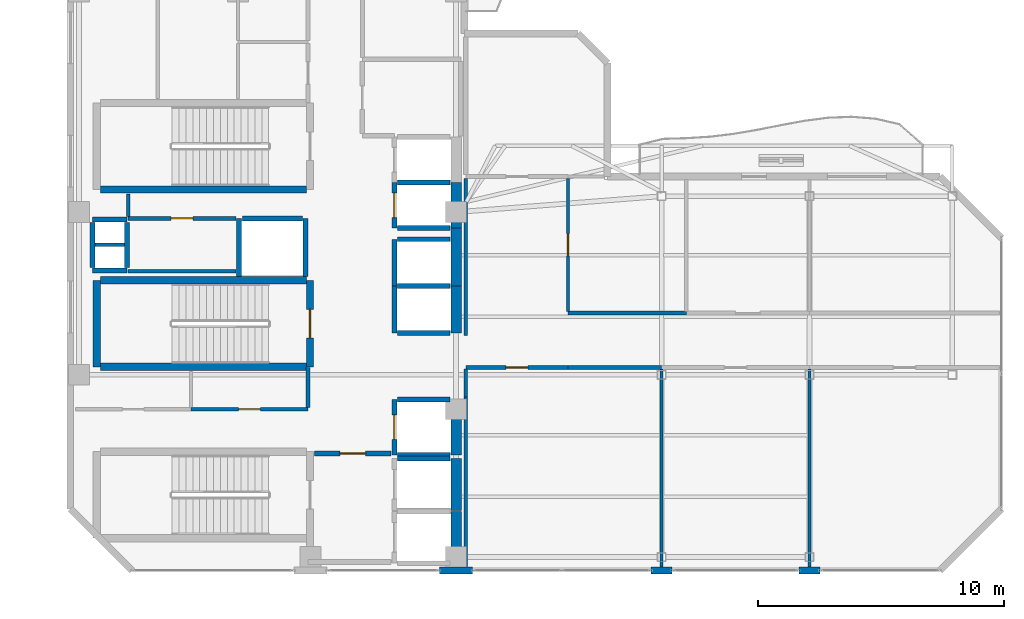
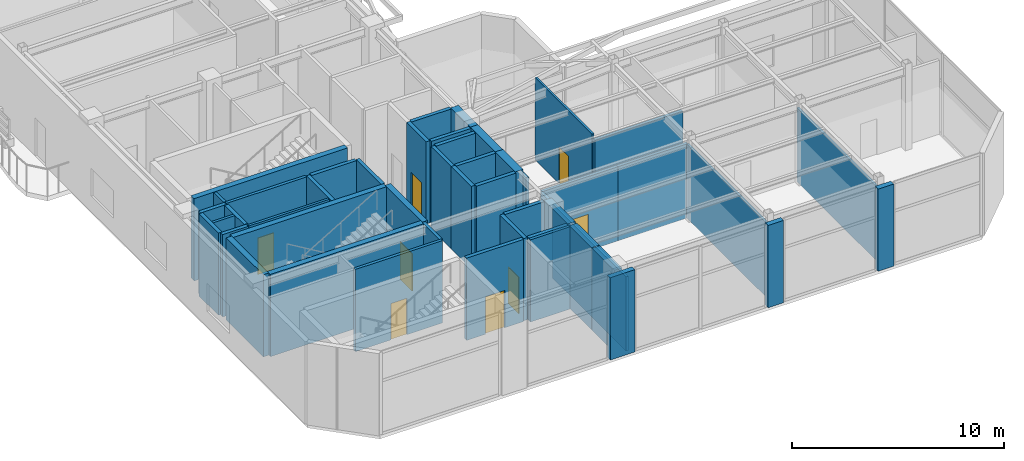
# One storey, part 11 of 15: 49 walls, 8 doors, 8 openings.
"""IFC4 building model written with IfcOpenShell, lengths in metres."""

from ifc_helpers import new_model, si_unit, direction, frame, frame_2d, origin, place, context, subcontext, project, spatial, rectangle, extrude, material, layer, layer_set, type_object, element, fill, save


model = new_model("IFC4")

# Units and contexts
model_context = context("Model", 3, precision=1e-05, world=origin(), true_north=direction((0.0, 1.0)))
body_context = subcontext(model_context, "Body", "Model", "MODEL_VIEW")
ifc_project = project(units=[si_unit("LENGTHUNIT", "METRE"), si_unit("AREAUNIT", "SQUARE_METRE"), si_unit("VOLUMEUNIT", "CUBIC_METRE"), si_unit("PLANEANGLEUNIT", "RADIAN"), si_unit("MASSUNIT", "GRAM", prefix="KILO")], contexts=[model_context])

# Site, building, storey
site_placement = place(None, origin())
site = spatial("IfcSite", under=ifc_project, at=site_placement, CompositionType="ELEMENT")
building_placement = place(site_placement, origin())
building = spatial("IfcBuilding", under=site, at=building_placement, Name="Mawjaban Terraces University", CompositionType="ELEMENT")
storey_placement = place(building_placement, frame((0.0, 0.0, 306.699951171875)))
storey = spatial("IfcBuildingStorey", under=building, at=storey_placement, Name="L75", CompositionType="ELEMENT", Elevation=306.699951171875)

# Walls
ifc_material_1 = material(Name="Concrete C50/60", Category="concrete")
ifc_layer_1 = layer(ifc_material_1, 0.419921875)
ifc_layer_set_1 = layer_set([ifc_layer_1], Name="Concrete C50/60")
wall_type_1 = type_object("IfcWallType", Name="CoreShearWall_420", PredefinedType="SHEAR", material=ifc_layer_set_1)
wall_1_placement = place(storey_placement, frame((37.659912109375, 0.300048828125, 0.0), z_axis=(0.0, 0.0, 1.0), x_axis=(0.0, 1.0, 0.0)))
element("IfcWall", 1, at=wall_1_placement, inside=storey, type_object=wall_type_1, Name="L75 Lift FL-1 Hoistway Wall East", PredefinedType="SHEAR", context=body_context, shape_type="SweptSolid", body=[
    extrude(rectangle(XDim=2.099853515625, YDim=0.419921875, at=frame_2d((1.0498046875, 0.0))), origin(), (0.0, 0.0, 1.0), 4.739990234375),
])
wall_2_placement = place(storey_placement, frame((37.659912109375, 2.449951171875, 0.0), z_axis=(0.0, 0.0, 1.0), x_axis=(0.0, 1.0, 0.0)))
element("IfcWall", 2, at=wall_2_placement, inside=storey, type_object=wall_type_1, Name="L75 Lift FL-2 Hoistway Wall East", PredefinedType="SHEAR", context=body_context, shape_type="SweptSolid", body=[
    extrude(rectangle(XDim=2.10009765625, YDim=0.419921875, at=frame_2d((1.050048828125, 0.0))), origin(), (0.0, 0.0, 1.0), 4.739990234375),
])
wall_3_placement = place(storey_placement, frame((37.659912109375, 4.699951171875, 0.0), z_axis=(0.0, 0.0, 1.0), x_axis=(0.0, 1.0, 0.0)))
element("IfcWall", 3, at=wall_3_placement, inside=storey, type_object=wall_type_1, Name="L75 Lift SL-1 Hoistway Wall East", PredefinedType="SHEAR", context=body_context, shape_type="SweptSolid", body=[
    extrude(rectangle(XDim=2.25, YDim=0.419921875, at=frame_2d((1.125, 0.0))), origin(), (0.0, 0.0, 1.0), 4.739990234375),
])
wall_4_placement = place(storey_placement, frame((37.659912109375, 9.64990234375, 0.0), z_axis=(0.0, 0.0, 1.0), x_axis=(0.0, 1.0, 0.0)))
element("IfcWall", 4, at=wall_4_placement, inside=storey, type_object=wall_type_1, Name="L75 Lift PL-H1 Hoistway Wall East", PredefinedType="SHEAR", context=body_context, shape_type="SweptSolid", body=[
    extrude(rectangle(XDim=1.900146484375, YDim=0.419921875, at=frame_2d((0.9501953125, 0.0))), origin(), (0.0, 0.0, 1.0), 4.739990234375),
])
wall_5_placement = place(storey_placement, frame((37.659912109375, 11.550048828125, 0.0), z_axis=(0.0, 0.0, 1.0), x_axis=(0.0, 1.0, 0.0)))
element("IfcWall", 5, at=wall_5_placement, inside=storey, type_object=wall_type_1, Name="L75 Lift PL-H2 Hoistway Wall East", PredefinedType="SHEAR", context=body_context, shape_type="SweptSolid", body=[
    extrude(rectangle(XDim=2.349853515625, YDim=0.419921875, at=frame_2d((1.1748046875, 0.0))), origin(), (0.0, 0.0, 1.0), 4.739990234375),
])
wall_6_placement = place(storey_placement, frame((37.659912109375, 13.89990234375, 0.0), z_axis=(0.0, 0.0, 1.0), x_axis=(0.0, 1.0, 0.0)))
element("IfcWall", 6, at=wall_6_placement, inside=storey, type_object=wall_type_1, Name="L75 Lift OL-1 Hoistway Wall East", PredefinedType="SHEAR", context=body_context, shape_type="SweptSolid", body=[
    extrude(rectangle(XDim=1.85009765625, YDim=0.419921875, at=frame_2d((0.925048828125, 0.0))), origin(), (0.0, 0.0, 1.0), 4.739990234375),
])

# Wall, opening, door
ifc_material_2 = material(Name="Fire-rated gypsum board on steel stud", Category="steel")
ifc_layer_2 = layer(ifc_material_2, 0.159912109375)
ifc_layer_set_2 = layer_set([ifc_layer_2], Name="Fire-rated gypsum board on steel stud")
wall_type_2 = type_object("IfcWallType", Name="CorridorPartition_160", PredefinedType="PARTITIONING", material=ifc_layer_set_2)
wall_7_placement = place(storey_placement, frame((24.35009765625, 14.300048828125, 0.0), z_axis=(0.0, 0.0, 1.0), x_axis=(1.0, 0.0, 0.0)))
wall_7 = element("IfcWall", 7, at=wall_7_placement, inside=storey, type_object=wall_type_2, Name="L75 Core Riser Access Passage Partition 2", PredefinedType="PARTITIONING", context=body_context, shape_type="SweptSolid", body=[
    extrude(rectangle(XDim=4.369873046875, YDim=0.159912109375, at=frame_2d((2.18505859375, 0.0))), origin(), (0.0, 0.0, 1.0), 4.739990234375),
])
opening_1_placement = place(wall_7_placement, frame((1.7451171875, 0.0, 0.0)))
opening_1 = element("IfcOpeningElement", 8, at=opening_1_placement, cuts=wall_7, Name="Opening ID-088", PredefinedType="OPENING", context=body_context, shape_type="SweptSolid", body=[
    extrude(rectangle(XDim=0.8798828125, YDim=2.10009765625, at=frame_2d((0.43994140625, 1.050048828125))), frame((0.0, 0.08984375, 0.0), z_axis=(0.0, -1.0, 0.0), x_axis=(1.0, 0.0, 0.0)), (0.0, 0.0, 1.0), 0.179931640625),
])
ifc_material_3 = material(Name="Powder-coated steel frame and solid acoustic timber leaf", Category="steel")
door_type_1 = type_object("IfcDoorType", Name="ToiletDoor_880x2100", OperationType="NOTDEFINED", PredefinedType="DOOR", material=ifc_material_3)
door_1_placement = place(opening_1_placement, origin())
door_1 = element("IfcDoor", 9, at=door_1_placement, inside=storey, type_object=door_type_1, Name="L75 Ablution Room Door", OperationType="SINGLE_SWING_LEFT", OverallHeight=2.10009765625, OverallWidth=0.8798828125, PredefinedType="DOOR", context=body_context, shape_type="SweptSolid", body=[
    extrude(rectangle(XDim=0.8798828125, YDim=2.10009765625, at=frame_2d((0.43994140625, 1.050048828125))), frame((0.0, 0.02490234375, 0.0), z_axis=(0.0, -1.0, 0.0), x_axis=(1.0, 0.0, 0.0)), (0.0, 0.0, 1.0), 0.050048828125),
])
fill(opening_1, door_1)

wall_8_placement = place(storey_placement, frame((31.64990234375, 6.550048828125, 0.0), z_axis=(0.0, 0.0, 1.0), x_axis=(-1.0, 0.0, 0.0)))
wall_8 = element("IfcWall", 10, at=wall_8_placement, inside=storey, type_object=wall_type_2, Name="L75 Core Washroom Lobby Partition 7", PredefinedType="PARTITIONING", context=body_context, shape_type="SweptSolid", body=[
    extrude(rectangle(XDim=4.75, YDim=0.159912109375, at=frame_2d((2.375, 0.0))), origin(), (0.0, 0.0, 1.0), 4.739990234375),
])
opening_2_placement = place(wall_8_placement, frame((1.93505859375, 0.0, 0.0)))
opening_2 = element("IfcOpeningElement", 11, at=opening_2_placement, cuts=wall_8, Name="Opening ID-088", PredefinedType="OPENING", context=body_context, shape_type="SweptSolid", body=[
    extrude(rectangle(XDim=0.8798828125, YDim=2.10009765625, at=frame_2d((0.43994140625, 1.050048828125))), frame((0.0, 0.08984375, 0.0), z_axis=(0.0, -1.0, 0.0), x_axis=(1.0, 0.0, 0.0)), (0.0, 0.0, 1.0), 0.179931640625),
])
door_2_placement = place(opening_2_placement, origin())
door_2 = element("IfcDoor", 12, at=door_2_placement, inside=storey, type_object=door_type_1, Name="L75 Accessible Toilet Door", OperationType="SINGLE_SWING_RIGHT", OverallHeight=2.10009765625, OverallWidth=0.8798828125, PredefinedType="DOOR", context=body_context, shape_type="SweptSolid", body=[
    extrude(rectangle(XDim=0.8798828125, YDim=2.10009765625, at=frame_2d((0.43994140625, 1.050048828125))), frame((0.0, 0.02490234375, 0.0), z_axis=(0.0, -1.0, 0.0), x_axis=(1.0, 0.0, 0.0)), (0.0, 0.0, 1.0), 0.050048828125),
])
fill(opening_2, door_2)

wall_9_placement = place(storey_placement, frame((38.050048828125, 8.25, 0.0), z_axis=(0.0, 0.0, 1.0), x_axis=(1.0, 0.0, 0.0)))
wall_9 = element("IfcWall", 13, at=wall_9_placement, inside=storey, type_object=wall_type_2, Name="L75 Observation East Corridor Partition 17", PredefinedType="PARTITIONING", context=body_context, shape_type="SweptSolid", body=[
    extrude(rectangle(XDim=4.14990234375, YDim=0.159912109375, at=frame_2d((2.074951171875, 0.0))), origin(), (0.0, 0.0, 1.0), 4.277099609375),
])
opening_3_placement = place(wall_9_placement, frame((1.625, 0.0, 0.0)))
opening_3 = element("IfcOpeningElement", 14, at=opening_3_placement, cuts=wall_9, Name="Opening ID-090", PredefinedType="OPENING", context=body_context, shape_type="SweptSolid", body=[
    extrude(rectangle(XDim=0.89990234375, YDim=2.10009765625, at=frame_2d((0.449951171875, 1.050048828125))), frame((0.0, 0.08984375, 0.0), z_axis=(0.0, -1.0, 0.0), x_axis=(1.0, 0.0, 0.0)), (0.0, 0.0, 1.0), 0.179931640625),
])
door_type_2 = type_object("IfcDoorType", Name="OfficeDoor_900x2100", OperationType="NOTDEFINED", PredefinedType="DOOR", material=ifc_material_3)
door_3_placement = place(opening_3_placement, origin())
door_3 = element("IfcDoor", 15, at=door_3_placement, inside=storey, type_object=door_type_2, Name="L75 Public Observation Gallery South-West Door", OperationType="SINGLE_SWING_RIGHT", OverallHeight=2.10009765625, OverallWidth=0.89990234375, PredefinedType="DOOR", context=body_context, shape_type="SweptSolid", body=[
    extrude(rectangle(XDim=0.89990234375, YDim=2.10009765625, at=frame_2d((0.449951171875, 1.050048828125))), frame((0.0, 0.02490234375, 0.0), z_axis=(0.0, -1.0, 0.0), x_axis=(1.0, 0.0, 0.0)), (0.0, 0.0, 1.0), 0.050048828125),
])
fill(opening_3, door_3)

# Walls
wall_10_placement = place(storey_placement, frame((42.199951171875, 8.25, 0.0), z_axis=(0.0, 0.0, 1.0), x_axis=(1.0, 0.0, 0.0)))
element("IfcWall", 16, at=wall_10_placement, inside=storey, type_object=wall_type_2, Name="L75 Observation Gallery Corridor Partition 18", PredefinedType="PARTITIONING", context=body_context, shape_type="SweptSolid", body=[
    extrude(rectangle(XDim=3.800048828125, YDim=0.159912109375, at=frame_2d((1.89990234375, 0.0))), origin(), (0.0, 0.0, 1.0), 4.277099609375),
])
wall_11_placement = place(storey_placement, frame((47.0, 10.449951171875, 0.0), z_axis=(0.0, 0.0, 1.0), x_axis=(-1.0, 0.0, 0.0)))
element("IfcWall", 17, at=wall_11_placement, inside=storey, type_object=wall_type_2, Name="L75 Observation Gallery Corridor Partition 22", PredefinedType="PARTITIONING", context=body_context, shape_type="SweptSolid", body=[
    extrude(rectangle(XDim=4.800048828125, YDim=0.159912109375, at=frame_2d((2.39990234375, 0.0))), origin(), (0.0, 0.0, 1.0), 4.47412109375),
])
wall_12_placement = place(storey_placement, frame((24.35009765625, 15.2900390625, 0.0), z_axis=(0.0, 0.0, 1.0), x_axis=(0.0, -1.0, 0.0)))
element("IfcWall", 18, at=wall_12_placement, inside=storey, type_object=wall_type_2, Name="L75 Core Riser Access Passage Partition 26", PredefinedType="PARTITIONING", context=body_context, shape_type="SweptSolid", body=[
    extrude(rectangle(XDim=0.9150390625, YDim=0.159912109375, at=frame_2d((0.45751953125, 0.0))), origin(), (0.0, 0.0, 1.0), 4.739990234375),
])
wall_13_placement = place(storey_placement, frame((31.64990234375, 8.239990234375, 0.0), z_axis=(0.0, 0.0, 1.0), x_axis=(0.0, -1.0, 0.0)))
element("IfcWall", 19, at=wall_13_placement, inside=storey, type_object=wall_type_2, Name="L75 High-Rise Lift Lobby Partition 31", PredefinedType="PARTITIONING", context=body_context, shape_type="SweptSolid", body=[
    extrude(rectangle(XDim=1.614990234375, YDim=0.159912109375, at=frame_2d((0.8076171875, 0.0))), origin(), (0.0, 0.0, 1.0), 4.739990234375),
])
wall_14_placement = place(storey_placement, frame((38.050048828125, 7.050048828125, 0.0), z_axis=(0.0, 0.0, 1.0), x_axis=(0.0, 1.0, 0.0)))
element("IfcWall", 20, at=wall_14_placement, inside=storey, type_object=wall_type_2, Name="L75 Core Stair and Lift Lobby East Partition 40", PredefinedType="PARTITIONING", context=body_context, shape_type="SweptSolid", body=[
    extrude(rectangle(XDim=1.125, YDim=0.159912109375, at=frame_2d((0.5625, 0.0))), origin(), (0.0, 0.0, 1.0), 4.277099609375),
])
wall_15_placement = place(storey_placement, frame((38.050048828125, 15.925048828125, 0.0), z_axis=(0.0, 0.0, 1.0), x_axis=(0.0, -1.0, 0.0)))
element("IfcWall", 21, at=wall_15_placement, inside=storey, type_object=wall_type_2, Name="L75 Observation East Corridor Partition 42", PredefinedType="PARTITIONING", context=body_context, shape_type="SweptSolid", body=[
    extrude(rectangle(XDim=6.375, YDim=0.159912109375, at=frame_2d((3.1875, 0.0))), origin(), (0.0, 0.0, 1.0), 4.277099609375),
])
ifc_material_4 = material(Name="Insulated terracotta rainscreen on concrete backup C40/50", Category="masonry")
ifc_layer_3 = layer(ifc_material_4, 0.27490234375)
ifc_layer_set_3 = layer_set([ifc_layer_3], Name="Insulated terracotta rainscreen on concrete backup C40/50")
wall_type_3 = type_object("IfcWallType", Name="ExtTerracottaWall_275", PredefinedType="SOLIDWALL", material=ifc_layer_set_3)
wall_16_placement = place(storey_placement, frame((36.97509765625, 0.0, 0.0), z_axis=(0.0, 0.0, 1.0), x_axis=(1.0, 0.0, 0.0)))
element("IfcWall", 22, at=wall_16_placement, inside=storey, type_object=wall_type_3, Name="L75 Exterior Terracotta Pier Wall 1.2", PredefinedType="SOLIDWALL", context=body_context, shape_type="SweptSolid", body=[
    extrude(rectangle(XDim=1.349853515625, YDim=0.27490234375, at=frame_2d((0.6748046875, 0.0))), origin(), (0.0, 0.0, 1.0), 4.739990234375),
])
for number, where, z_axis, x_axis, name in (
    (23, (45.574951171875, 0.0, 0.0), (0.0, 0.0, 1.0), (1.0, 0.0, 0.0), "L75 Exterior Terracotta Pier Wall 1.3"),
    (24, (51.574951171875, 0.0, 0.0), (0.0, 0.0, 1.0), (1.0, 0.0, 0.0), "L75 Exterior Terracotta Pier Wall 1.4"),
):
    element("IfcWall", number, at=place(storey_placement, frame(where, z_axis=z_axis, x_axis=x_axis)), inside=storey, type_object=wall_type_3, Name=name, PredefinedType="SOLIDWALL", context=body_context, shape_type="SweptSolid", body=[
        extrude(rectangle(XDim=0.85009765625, YDim=0.27490234375, at=frame_2d((0.425048828125, 0.0))), origin(), (0.0, 0.0, 1.0), 4.739990234375),
    ])
ifc_material_5 = material(Name="Concrete C40/50", Category="concrete")
ifc_layer_4 = layer(ifc_material_5, 0.199951171875)
ifc_layer_set_4 = layer_set([ifc_layer_4], Name="Concrete C40/50")
wall_type_4 = type_object("IfcWallType", Name="FireLobbyWall_200", PredefinedType="SOLIDWALL", material=ifc_layer_set_4)
wall_17_placement = place(storey_placement, frame((37.419921875, 4.550048828125, 0.0), z_axis=(0.0, 0.0, 1.0), x_axis=(-1.0, 0.0, 0.0)))
element("IfcWall", 25, at=wall_17_placement, inside=storey, type_object=wall_type_4, Name="L75 Lift FL-2 Hoistway Wall North", PredefinedType="SOLIDWALL", context=body_context, shape_type="SweptSolid", body=[
    extrude(rectangle(XDim=2.139892578125, YDim=0.199951171875, at=frame_2d((1.06982421875, 0.0))), origin(), (0.0, 0.0, 1.0), 4.739990234375),
])

# Wall, opening, door
wall_18_placement = place(storey_placement, frame((35.14990234375, 6.949951171875, 0.0), z_axis=(0.0, 0.0, 1.0), x_axis=(0.0, -1.0, 0.0)))
wall_18 = element("IfcWall", 26, at=wall_18_placement, inside=storey, type_object=wall_type_4, Name="L75 Lift SL-1 Hoistway Wall West", PredefinedType="SOLIDWALL", context=body_context, shape_type="SweptSolid", body=[
    extrude(rectangle(XDim=2.25, YDim=0.199951171875, at=frame_2d((1.125, 0.0))), origin(), (0.0, 0.0, 1.0), 4.739990234375),
])
opening_4_placement = place(wall_18_placement, frame((0.625, 0.0, 0.0)))
opening_4 = element("IfcOpeningElement", 27, at=opening_4_placement, cuts=wall_18, Name="Opening LD-SL-1", PredefinedType="OPENING", context=body_context, shape_type="SweptSolid", body=[
    extrude(rectangle(XDim=1.0, YDim=2.10009765625, at=frame_2d((0.5, 1.050048828125))), frame((0.0, 0.10986328125, 0.0), z_axis=(0.0, -1.0, 0.0), x_axis=(1.0, 0.0, 0.0)), (0.0, 0.0, 1.0), 0.219970703125),
])
ifc_material_6 = material(Name="Powder-coated steel frame and fire-rated steel-faced leaf", Category="steel")
door_type_3 = type_object("IfcDoorType", Name="LiftLandingSliding_1000x2100", OperationType="NOTDEFINED", PredefinedType="DOOR", material=ifc_material_6)
door_4_placement = place(opening_4_placement, origin())
door_4 = element("IfcDoor", 28, at=door_4_placement, inside=storey, type_object=door_type_3, Name="L75 Lift SL-1 Sliding Landing Door", OperationType="DOUBLE_DOOR_SLIDING", OverallHeight=2.10009765625, OverallWidth=1.0, PredefinedType="DOOR", context=body_context, shape_type="SweptSolid", body=[
    extrude(rectangle(XDim=1.0, YDim=2.10009765625, at=frame_2d((0.5, 1.050048828125))), frame((0.0, 0.02490234375, 0.0), z_axis=(0.0, -1.0, 0.0), x_axis=(1.0, 0.0, 0.0)), (0.0, 0.0, 1.0), 0.050048828125),
])
fill(opening_4, door_4)

# Walls
for number, where, z_axis, x_axis, name in (
    (29, (35.280029296875, 4.699951171875, 0.0), (0.0, 0.0, 1.0), (1.0, 0.0, 0.0), "L75 Lift SL-1 Hoistway Wall South"),
    (30, (37.419921875, 6.949951171875, 0.0), (0.0, 0.0, 1.0), (-1.0, 0.0, 0.0), "L75 Lift SL-1 Hoistway Wall North"),
):
    element("IfcWall", number, at=place(storey_placement, frame(where, z_axis=z_axis, x_axis=x_axis)), inside=storey, type_object=wall_type_4, Name=name, PredefinedType="SOLIDWALL", context=body_context, shape_type="SweptSolid", body=[
        extrude(rectangle(XDim=2.139892578125, YDim=0.199951171875, at=frame_2d((1.06982421875, 0.0))), origin(), (0.0, 0.0, 1.0), 4.739990234375),
    ])
wall_19_placement = place(storey_placement, frame((35.14990234375, 11.550048828125, 0.0), z_axis=(0.0, 0.0, 1.0), x_axis=(0.0, -1.0, 0.0)))
element("IfcWall", 31, at=wall_19_placement, inside=storey, type_object=wall_type_4, Name="L75 Lift PL-H1 Hoistway Wall West", PredefinedType="SOLIDWALL", context=body_context, shape_type="SweptSolid", body=[
    extrude(rectangle(XDim=1.900146484375, YDim=0.199951171875, at=frame_2d((0.9501953125, 0.0))), origin(), (0.0, 0.0, 1.0), 4.739990234375),
])
for number, where, z_axis, x_axis, name in (
    (32, (35.280029296875, 9.64990234375, 0.0), (0.0, 0.0, 1.0), (1.0, 0.0, 0.0), "L75 Lift PL-H1 Hoistway Wall South"),
    (33, (37.419921875, 11.550048828125, 0.0), (0.0, 0.0, 1.0), (-1.0, 0.0, 0.0), "L75 Lift PL-H1 Hoistway Wall North"),
):
    element("IfcWall", number, at=place(storey_placement, frame(where, z_axis=z_axis, x_axis=x_axis)), inside=storey, type_object=wall_type_4, Name=name, PredefinedType="SOLIDWALL", context=body_context, shape_type="SweptSolid", body=[
        extrude(rectangle(XDim=2.139892578125, YDim=0.199951171875, at=frame_2d((1.06982421875, 0.0))), origin(), (0.0, 0.0, 1.0), 4.739990234375),
    ])
wall_20_placement = place(storey_placement, frame((35.14990234375, 13.449951171875, 0.0), z_axis=(0.0, 0.0, 1.0), x_axis=(0.0, -1.0, 0.0)))
element("IfcWall", 34, at=wall_20_placement, inside=storey, type_object=wall_type_4, Name="L75 Lift PL-H2 Hoistway Wall West", PredefinedType="SOLIDWALL", context=body_context, shape_type="SweptSolid", body=[
    extrude(rectangle(XDim=1.89990234375, YDim=0.199951171875, at=frame_2d((0.949951171875, 0.0))), origin(), (0.0, 0.0, 1.0), 4.739990234375),
])
wall_21_placement = place(storey_placement, frame((37.419921875, 13.449951171875, 0.0), z_axis=(0.0, 0.0, 1.0), x_axis=(-1.0, 0.0, 0.0)))
element("IfcWall", 35, at=wall_21_placement, inside=storey, type_object=wall_type_4, Name="L75 Lift PL-H2 Hoistway Wall North", PredefinedType="SOLIDWALL", context=body_context, shape_type="SweptSolid", body=[
    extrude(rectangle(XDim=2.139892578125, YDim=0.199951171875, at=frame_2d((1.06982421875, 0.0))), origin(), (0.0, 0.0, 1.0), 4.739990234375),
])
for number, where, z_axis, x_axis, name in (
    (36, (28.85009765625, 14.300048828125, 0.0), (0.0, 0.0, 1.0), (0.0, -1.0, 0.0), "L75 Lift PL-H3 Hoistway Wall West"),
    (37, (31.550048828125, 11.929931640625, 0.0), (0.0, 0.0, 1.0), (0.0, 1.0, 0.0), "L75 Lift PL-H3 Hoistway Wall East"),
):
    element("IfcWall", number, at=place(storey_placement, frame(where, z_axis=z_axis, x_axis=x_axis)), inside=storey, type_object=wall_type_4, Name=name, PredefinedType="SOLIDWALL", context=body_context, shape_type="SweptSolid", body=[
        extrude(rectangle(XDim=2.3701171875, YDim=0.199951171875, at=frame_2d((1.18505859375, 0.0))), origin(), (0.0, 0.0, 1.0), 4.739990234375),
    ])
wall_22_placement = place(storey_placement, frame((31.419921875, 14.300048828125, 0.0), z_axis=(0.0, 0.0, 1.0), x_axis=(-1.0, 0.0, 0.0)))
element("IfcWall", 38, at=wall_22_placement, inside=storey, type_object=wall_type_4, Name="L75 Lift PL-H3 Hoistway Wall North", PredefinedType="SOLIDWALL", context=body_context, shape_type="SweptSolid", body=[
    extrude(rectangle(XDim=2.43994140625, YDim=0.199951171875, at=frame_2d((1.219970703125, 0.0))), origin(), (0.0, 0.0, 1.0), 4.739990234375),
])

# Wall, opening, door
wall_23_placement = place(storey_placement, frame((35.14990234375, 15.75, 0.0), z_axis=(0.0, 0.0, 1.0), x_axis=(0.0, -1.0, 0.0)))
wall_23 = element("IfcWall", 39, at=wall_23_placement, inside=storey, type_object=wall_type_4, Name="L75 Lift OL-1 Hoistway Wall West", PredefinedType="SOLIDWALL", context=body_context, shape_type="SweptSolid", body=[
    extrude(rectangle(XDim=1.85009765625, YDim=0.199951171875, at=frame_2d((0.925048828125, 0.0))), origin(), (0.0, 0.0, 1.0), 4.739990234375),
])
opening_5_placement = place(wall_23_placement, frame((0.425048828125, 0.0, 0.0)))
opening_5 = element("IfcOpeningElement", 40, at=opening_5_placement, cuts=wall_23, Name="Opening LD-OL-1", PredefinedType="OPENING", context=body_context, shape_type="SweptSolid", body=[
    extrude(rectangle(XDim=1.0, YDim=2.10009765625, at=frame_2d((0.5, 1.050048828125))), frame((0.0, 0.10986328125, 0.0), z_axis=(0.0, -1.0, 0.0), x_axis=(1.0, 0.0, 0.0)), (0.0, 0.0, 1.0), 0.219970703125),
])
door_5_placement = place(opening_5_placement, origin())
door_5 = element("IfcDoor", 41, at=door_5_placement, inside=storey, type_object=door_type_3, Name="L75 Lift OL-1 Sliding Landing Door", OperationType="DOUBLE_DOOR_SLIDING", OverallHeight=2.10009765625, OverallWidth=1.0, PredefinedType="DOOR", context=body_context, shape_type="SweptSolid", body=[
    extrude(rectangle(XDim=1.0, YDim=2.10009765625, at=frame_2d((0.5, 1.050048828125))), frame((0.0, 0.02490234375, 0.0), z_axis=(0.0, -1.0, 0.0), x_axis=(1.0, 0.0, 0.0)), (0.0, 0.0, 1.0), 0.050048828125),
])
fill(opening_5, door_5)

# Walls
for number, where, z_axis, x_axis, name in (
    (42, (35.280029296875, 13.89990234375, 0.0), (0.0, 0.0, 1.0), (1.0, 0.0, 0.0), "L75 Lift OL-1 Hoistway Wall South"),
    (43, (37.419921875, 15.75, 0.0), (0.0, 0.0, 1.0), (-1.0, 0.0, 0.0), "L75 Lift OL-1 Hoistway Wall North"),
):
    element("IfcWall", number, at=place(storey_placement, frame(where, z_axis=z_axis, x_axis=x_axis)), inside=storey, type_object=wall_type_4, Name=name, PredefinedType="SOLIDWALL", context=body_context, shape_type="SweptSolid", body=[
        extrude(rectangle(XDim=2.139892578125, YDim=0.199951171875, at=frame_2d((1.06982421875, 0.0))), origin(), (0.0, 0.0, 1.0), 4.739990234375),
    ])
for number, where, z_axis, x_axis, name in (
    (44, (22.89990234375, 14.25, 0.0), (0.0, 0.0, 1.0), (1.0, 0.0, 0.0), "L75 MEP Riser Shaft Wall N"),
    (45, (22.89990234375, 12.179931640625, 0.0), (0.0, 0.0, 1.0), (1.0, 0.0, 0.0), "L75 MEP Riser Shaft Wall S"),
):
    element("IfcWall", number, at=place(storey_placement, frame(where, z_axis=z_axis, x_axis=x_axis)), inside=storey, type_object=wall_type_4, Name=name, PredefinedType="SOLIDWALL", context=body_context, shape_type="SweptSolid", body=[
        extrude(rectangle(XDim=1.400146484375, YDim=0.199951171875, at=frame_2d((0.7001953125, 0.0))), origin(), (0.0, 0.0, 1.0), 4.739990234375),
    ])
for number, where, z_axis, x_axis, name in (
    (46, (24.300048828125, 12.300048828125, 0.0), (0.0, 0.0, 1.0), (0.0, 1.0, 0.0), "L75 MEP Riser Shaft Wall E"),
    (47, (22.89990234375, 12.300048828125, 0.0), (0.0, 0.0, 1.0), (0.0, 1.0, 0.0), "L75 MEP Riser Shaft Wall W"),
):
    element("IfcWall", number, at=place(storey_placement, frame(where, z_axis=z_axis, x_axis=x_axis)), inside=storey, type_object=wall_type_4, Name=name, PredefinedType="SOLIDWALL", context=body_context, shape_type="SweptSolid", body=[
        extrude(rectangle(XDim=1.829833984375, YDim=0.199951171875, at=frame_2d((0.9150390625, 0.0))), origin(), (0.0, 0.0, 1.0), 4.739990234375),
    ])

# Wall, opening, door
wall_24_placement = place(storey_placement, frame((35.02001953125, 4.75, 0.0), z_axis=(0.0, 0.0, 1.0), x_axis=(-1.0, 0.0, 0.0)))
wall_24 = element("IfcWall", 48, at=wall_24_placement, inside=storey, type_object=wall_type_4, Name="L75 Firefighting Lift Lobby Partition 13", PredefinedType="SOLIDWALL", context=body_context, shape_type="SweptSolid", body=[
    extrude(rectangle(XDim=3.110107421875, YDim=0.199951171875, at=frame_2d((1.55517578125, 0.0))), origin(), (0.0, 0.0, 1.0), 4.739990234375),
])
opening_6_placement = place(wall_24_placement, frame((1.030029296875, 0.0, 0.0)))
opening_6 = element("IfcOpeningElement", 49, at=opening_6_placement, cuts=wall_24, Name="Opening FD-105", PredefinedType="OPENING", context=body_context, shape_type="SweptSolid", body=[
    extrude(rectangle(XDim=1.050048828125, YDim=2.14990234375, at=frame_2d((0.52490234375, 1.074951171875))), frame((0.0, 0.10986328125, 0.0), z_axis=(0.0, -1.0, 0.0), x_axis=(1.0, 0.0, 0.0)), (0.0, 0.0, 1.0), 0.219970703125),
])
door_type_4 = type_object("IfcDoorType", Name="FireLobbyDoor_1050x2150", OperationType="NOTDEFINED", PredefinedType="DOOR", material=ifc_material_6)
door_6_placement = place(opening_6_placement, origin())
door_6 = element("IfcDoor", 50, at=door_6_placement, inside=storey, type_object=door_type_4, Name="L75 Firefighting Lift Lobby Door", OperationType="SINGLE_SWING_RIGHT", OverallHeight=2.14990234375, OverallWidth=1.050048828125, PredefinedType="DOOR", context=body_context, shape_type="SweptSolid", body=[
    extrude(rectangle(XDim=1.050048828125, YDim=2.14990234375, at=frame_2d((0.52490234375, 1.074951171875))), frame((0.0, 0.02490234375, 0.0), z_axis=(0.0, -1.0, 0.0), x_axis=(1.0, 0.0, 0.0)), (0.0, 0.0, 1.0), 0.050048828125),
])
fill(opening_6, door_6)

# Walls
ifc_material_7 = material(Name="Moisture-resistant gypsum board on steel stud", Category="steel")
ifc_layer_5 = layer(ifc_material_7, 0.14501953125)
ifc_layer_set_5 = layer_set([ifc_layer_5], Name="Moisture-resistant gypsum board on steel stud")
wall_type_5 = type_object("IfcWallType", Name="LabPartition_145", PredefinedType="PARTITIONING", material=ifc_layer_set_5)
wall_25_placement = place(storey_placement, frame((23.010009765625, 13.22509765625, 0.0), z_axis=(0.0, 0.0, 1.0), x_axis=(1.0, 0.0, 0.0)))
element("IfcWall", 51, at=wall_25_placement, inside=storey, type_object=wall_type_5, Name="L75 MEP Riser Shaft Wall M", PredefinedType="PARTITIONING", context=body_context, shape_type="SweptSolid", body=[
    extrude(rectangle(XDim=1.179931640625, YDim=0.14501953125, at=frame_2d((0.58984375, 0.0))), origin(), (0.0, 0.0, 1.0), 4.739990234375),
])
ifc_material_8 = material(Name="Gypsum plasterboard on steel stud", Category="steel")
ifc_layer_6 = layer(ifc_material_8, 0.125)
ifc_layer_set_6 = layer_set([ifc_layer_6], Name="Gypsum plasterboard on steel stud")
wall_type_6 = type_object("IfcWallType", Name="OfficePartition_125", PredefinedType="PARTITIONING", material=ifc_layer_set_6)
wall_26_placement = place(storey_placement, frame((38.050048828125, 7.050048828125, 0.0), z_axis=(0.0, 0.0, 1.0), x_axis=(0.0, -1.0, 0.0)))
element("IfcWall", 52, at=wall_26_placement, inside=storey, type_object=wall_type_6, Name="L75 Public Observation Gallery South-West Partition 41", PredefinedType="PARTITIONING", context=body_context, shape_type="SweptSolid", body=[
    extrude(rectangle(XDim=6.9169921875, YDim=0.125, at=frame_2d((3.45849609375, 0.0))), origin(), (0.0, 0.0, 1.0), 4.277099609375),
])
for number, where, z_axis, x_axis, name in (
    (53, (46.0, 0.133056640625, 0.0), (0.0, 0.0, 1.0), (0.0, 1.0, 0.0), "L75 Public Observation Gallery South-West Partition 45"),
    (54, (52.0, 0.133056640625, 0.0), (0.0, 0.0, 1.0), (0.0, 1.0, 0.0), "L75 Public Observation Gallery South-Mid Partition 47"),
):
    element("IfcWall", number, at=place(storey_placement, frame(where, z_axis=z_axis, x_axis=x_axis)), inside=storey, type_object=wall_type_6, Name=name, PredefinedType="PARTITIONING", context=body_context, shape_type="SweptSolid", body=[
        extrude(rectangle(XDim=8.0419921875, YDim=0.125, at=frame_2d((4.02099609375, 0.0))), origin(), (0.0, 0.0, 1.0), 4.277099609375),
    ])

# Wall, opening, door
ifc_material_9 = material(Name="Acoustic operable panel partition", Category="masonry")
ifc_layer_7 = layer(ifc_material_9, 0.110107421875)
ifc_layer_set_7 = layer_set([ifc_layer_7], Name="Acoustic operable panel partition")
wall_type_7 = type_object("IfcWallType", Name="OperableSeminarWall_110", PredefinedType="MOVABLE", material=ifc_layer_set_7)
wall_27_placement = place(storey_placement, frame((42.199951171875, 10.52490234375, 0.0), z_axis=(0.0, 0.0, 1.0), x_axis=(0.0, 1.0, 0.0)))
wall_27 = element("IfcWall", 55, at=wall_27_placement, inside=storey, type_object=wall_type_7, Name="L75 Observation East Corridor Partition 44", PredefinedType="MOVABLE", context=body_context, shape_type="SweptSolid", body=[
    extrude(rectangle(XDim=5.400146484375, YDim=0.110107421875, at=frame_2d((2.7001953125, 0.0))), origin(), (0.0, 0.0, 1.0), 4.739990234375),
])
opening_7_placement = place(wall_27_placement, frame((2.25, 0.0, 0.0)))
opening_7 = element("IfcOpeningElement", 56, at=opening_7_placement, cuts=wall_27, Name="Opening ID-090", PredefinedType="OPENING", context=body_context, shape_type="SweptSolid", body=[
    extrude(rectangle(XDim=0.89990234375, YDim=2.10009765625, at=frame_2d((0.449951171875, 1.050048828125))), frame((0.0, 0.06494140625, 0.0), z_axis=(0.0, -1.0, 0.0), x_axis=(1.0, 0.0, 0.0)), (0.0, 0.0, 1.0), 0.130126953125),
])
door_7_placement = place(opening_7_placement, origin())
door_7 = element("IfcDoor", 57, at=door_7_placement, inside=storey, type_object=door_type_2, Name="L75 Sky Observatory Lecture Salon 1 Door", OperationType="SINGLE_SWING_LEFT", OverallHeight=2.10009765625, OverallWidth=0.89990234375, PredefinedType="DOOR", context=body_context, shape_type="SweptSolid", body=[
    extrude(rectangle(XDim=0.89990234375, YDim=2.10009765625, at=frame_2d((0.449951171875, 1.050048828125))), frame((0.0, 0.02490234375, 0.0), z_axis=(0.0, -1.0, 0.0), x_axis=(1.0, 0.0, 0.0)), (0.0, 0.0, 1.0), 0.050048828125),
])
fill(opening_7, door_7)

# Walls
ifc_material_10 = material(Name="Concrete C60/75", Category="concrete")
ifc_layer_8 = layer(ifc_material_10, 0.300048828125)
ifc_layer_set_8 = layer_set([ifc_layer_8], Name="Concrete C60/75")
wall_type_8 = type_object("IfcWallType", Name="StairShaftWall_300", PredefinedType="SHEAR", material=ifc_layer_set_8)
for number, where, z_axis, x_axis, name in (
    (58, (23.219970703125, 15.469970703125, 0.0), (0.0, 0.0, 1.0), (1.0, 0.0, 0.0), "L75 ST-2 Stair Shaft Wall 3"),
    (59, (31.580078125, 11.780029296875, 0.0), (0.0, 0.0, 1.0), (-1.0, 0.0, 0.0), "L75 ST-3 Stair Shaft Wall 1"),
):
    element("IfcWall", number, at=place(storey_placement, frame(where, z_axis=z_axis, x_axis=x_axis)), inside=storey, type_object=wall_type_8, Name=name, PredefinedType="SHEAR", context=body_context, shape_type="SweptSolid", body=[
        extrude(rectangle(XDim=8.360107421875, YDim=0.300048828125, at=frame_2d((4.18017578125, 0.0))), origin(), (0.0, 0.0, 1.0), 4.739990234375),
    ])
wall_28_placement = place(storey_placement, frame((23.070068359375, 11.780029296875, 0.0), z_axis=(0.0, 0.0, 1.0), x_axis=(0.0, -1.0, 0.0)))
element("IfcWall", 60, at=wall_28_placement, inside=storey, type_object=wall_type_8, Name="L75 ST-3 Stair Shaft Wall 2", PredefinedType="SHEAR", context=body_context, shape_type="SweptSolid", body=[
    extrude(rectangle(XDim=3.510009765625, YDim=0.300048828125, at=frame_2d((1.7548828125, 0.0))), origin(), (0.0, 0.0, 1.0), 4.739990234375),
])
wall_29_placement = place(storey_placement, frame((23.219970703125, 8.27001953125, 0.0), z_axis=(0.0, 0.0, 1.0), x_axis=(1.0, 0.0, 0.0)))
element("IfcWall", 61, at=wall_29_placement, inside=storey, type_object=wall_type_8, Name="L75 ST-3 Stair Shaft Wall 3", PredefinedType="SHEAR", context=body_context, shape_type="SweptSolid", body=[
    extrude(rectangle(XDim=8.360107421875, YDim=0.300048828125, at=frame_2d((4.18017578125, 0.0))), origin(), (0.0, 0.0, 1.0), 4.739990234375),
])

# Wall, opening, door
wall_30_placement = place(storey_placement, frame((31.72998046875, 8.27001953125, 0.0), z_axis=(0.0, 0.0, 1.0), x_axis=(0.0, 1.0, 0.0)))
wall_30 = element("IfcWall", 62, at=wall_30_placement, inside=storey, type_object=wall_type_8, Name="L75 ST-3 Stair Shaft Wall 4", PredefinedType="SHEAR", context=body_context, shape_type="SweptSolid", body=[
    extrude(rectangle(XDim=3.510009765625, YDim=0.300048828125, at=frame_2d((1.7548828125, 0.0))), origin(), (0.0, 0.0, 1.0), 4.739990234375),
])
opening_8_placement = place(wall_30_placement, frame((1.179931640625, 0.0, 0.0)))
opening_8 = element("IfcOpeningElement", 63, at=opening_8_placement, cuts=wall_30, Name="Opening FD-115", PredefinedType="OPENING", context=body_context, shape_type="SweptSolid", body=[
    extrude(rectangle(XDim=1.14990234375, YDim=2.14990234375, at=frame_2d((0.574951171875, 1.074951171875))), frame((0.0, 0.159912109375, 0.0), z_axis=(0.0, -1.0, 0.0), x_axis=(1.0, 0.0, 0.0)), (0.0, 0.0, 1.0), 0.320068359375),
])
door_type_5 = type_object("IfcDoorType", Name="FireStairDoor_1150x2150", OperationType="NOTDEFINED", PredefinedType="DOOR", material=ifc_material_6)
door_8_placement = place(opening_8_placement, origin())
door_8 = element("IfcDoor", 64, at=door_8_placement, inside=storey, type_object=door_type_5, Name="L75 ST-3 Pressurised Stair Fire Door", OperationType="SINGLE_SWING_LEFT", OverallHeight=2.14990234375, OverallWidth=1.14990234375, PredefinedType="DOOR", context=body_context, shape_type="SweptSolid", body=[
    extrude(rectangle(XDim=1.14990234375, YDim=2.14990234375, at=frame_2d((0.574951171875, 1.074951171875))), frame((0.0, 0.02490234375, 0.0), z_axis=(0.0, -1.0, 0.0), x_axis=(1.0, 0.0, 0.0)), (0.0, 0.0, 1.0), 0.050048828125),
])
fill(opening_8, door_8)

# Wall
ifc_material_11 = material(Name="Cement-board wet-room partition", Category="masonry")
ifc_layer_9 = layer(ifc_material_11, 0.135009765625)
ifc_layer_set_9 = layer_set([ifc_layer_9], Name="Cement-board wet-room partition")
wall_type_9 = type_object("IfcWallType", Name="WetRoomPartition_135", PredefinedType="PARTITIONING", material=ifc_layer_set_9)
wall_31_placement = place(storey_placement, frame((24.35009765625, 12.14990234375, 0.0), z_axis=(0.0, 0.0, 1.0), x_axis=(1.0, 0.0, 0.0)))
element("IfcWall", 65, at=wall_31_placement, inside=storey, type_object=wall_type_9, Name="L75 Ablution Room Partition 1", PredefinedType="PARTITIONING", context=body_context, shape_type="SweptSolid", body=[
    extrude(rectangle(XDim=4.369873046875, YDim=0.135009765625, at=frame_2d((2.18505859375, 0.0))), origin(), (0.0, 0.0, 1.0), 4.739990234375),
])

save(model, "model.ifc")
